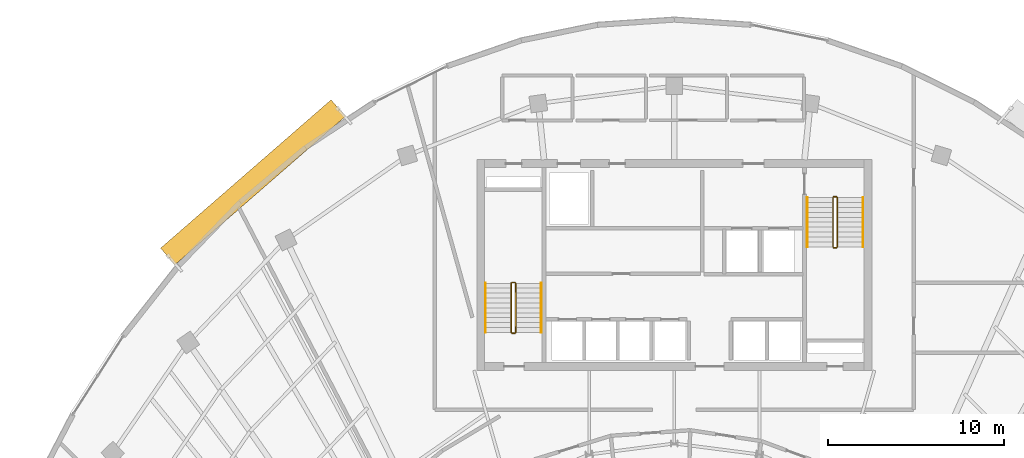
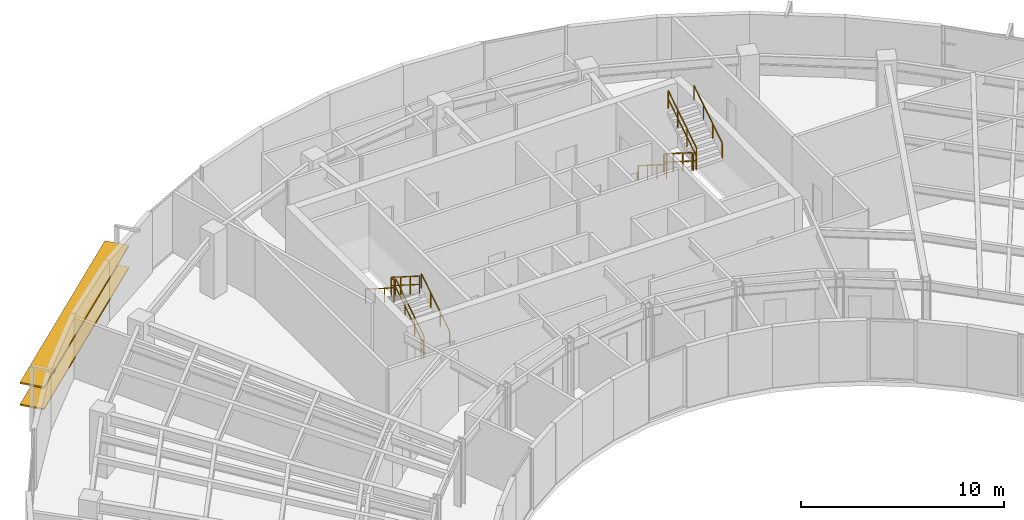
# One storey, part 12 of 13: 12 railings, 2 shading devices.
"""IFC4 building model written with IfcOpenShell, lengths in metres."""

from ifc_helpers import new_model, si_unit, direction, frame, origin, origin_2d, place, context, subcontext, project, spatial, rectangle, extrude, source, transform, mapped, material, material_profile, profile_set, type_object, element, save


model = new_model("IFC4")

# Units and contexts
model_context = context("Model", 3, precision=1e-05, world=origin(), true_north=direction((0.0, 1.0)))
body_context = subcontext(model_context, "Body", "Model", "MODEL_VIEW")
ifc_project = project(units=[si_unit("LENGTHUNIT", "METRE"), si_unit("AREAUNIT", "SQUARE_METRE"), si_unit("VOLUMEUNIT", "CUBIC_METRE"), si_unit("PLANEANGLEUNIT", "RADIAN"), si_unit("MASSUNIT", "GRAM", prefix="KILO")], contexts=[model_context])

# Site, building, storey
site_placement = place(None, origin())
site = spatial("IfcSite", under=ifc_project, at=site_placement, CompositionType="ELEMENT")
building_placement = place(site_placement, origin())
building = spatial("IfcBuilding", under=site, at=building_placement, Name="Breltana Convention Tower", CompositionType="ELEMENT")
storey_placement = place(building_placement, frame((0.0, 0.0, 223.5)))
storey = spatial("IfcBuildingStorey", under=building, at=storey_placement, Name="L54", CompositionType="ELEMENT", Elevation=223.5)

# Railings
ifc_material_1 = material(Name="Steel S275 Painted", Category="steel")
railing_type_1 = type_object("IfcRailingType", Name="RL-STAIR-GUARD-1100", PredefinedType="GUARDRAIL", material=ifc_material_1)
railing_1_placement = place(storey_placement, frame((38.9599609375, 62.360107421875, 0.17724609375)))
element("IfcRailing", 1, at=railing_1_placement, inside=storey, type_object=railing_type_1, Name="L54 ST-1 stair guard 1", PredefinedType="GUARDRAIL", context=body_context, shape_type="SweptSolid", body=[
    extrude(rectangle(XDim=0.048095703125, YDim=0.048095703125, at=origin_2d()), frame((0.0, 0.0, 1.076171875), z_axis=(0.0, 0.844887892834, 0.53494340686), x_axis=(-1.0, 0.0, 0.0)), (0.0, 0.0, 1.0), 3.313720703125),
    extrude(rectangle(XDim=0.048095703125, YDim=0.048095703125, at=origin_2d()), frame((0.0, 0.0, 0.572021484375), z_axis=(0.0, 0.844887892834, 0.53494340686), x_axis=(-1.0, 0.0, 0.0)), (0.0, 0.0, 1.0), 3.313720703125),
    extrude(rectangle(XDim=0.0419921875, YDim=0.0419921875, at=origin_2d()), origin(), (0.0, 0.0, 1.0), 1.052001953125),
    extrude(rectangle(XDim=0.0419921875, YDim=0.0419921875, at=origin_2d()), frame((0.0, 0.933349609375, 0.5908203125)), (0.0, 0.0, 1.0), 1.052001953125),
    extrude(rectangle(XDim=0.0419921875, YDim=0.0419921875, at=origin_2d()), frame((0.0, 1.866455078125, 1.181884765625)), (0.0, 0.0, 1.0), 1.052001953125),
    extrude(rectangle(XDim=0.0419921875, YDim=0.0419921875, at=origin_2d()), frame((0.0, 2.7998046875, 1.772705078125)), (0.0, 0.0, 1.0), 1.052001953125),
])
railing_2_placement = place(storey_placement, frame((38.909912109375, 65.2099609375, 1.949951171875)))
element("IfcRailing", 2, at=railing_2_placement, inside=storey, type_object=railing_type_1, Name="L54 ST-1 stair guard 2", PredefinedType="GUARDRAIL", context=body_context, shape_type="SweptSolid", body=[
    extrude(rectangle(XDim=0.048095703125, YDim=0.048095703125, at=origin_2d()), frame((0.0, 0.0, 1.076171875), z_axis=(-1.0, 0.0, 0.0), x_axis=(0.0, -1.0, 0.0)), (0.0, 0.0, 1.0), 0.14990234375),
    extrude(rectangle(XDim=0.048095703125, YDim=0.048095703125, at=origin_2d()), frame((0.0, 0.0, 0.572021484375), z_axis=(-1.0, 0.0, 0.0), x_axis=(0.0, -1.0, 0.0)), (0.0, 0.0, 1.0), 0.14990234375),
    extrude(rectangle(XDim=0.0419921875, YDim=0.0419921875, at=origin_2d()), origin(), (0.0, 0.0, 1.0), 1.052001953125),
    extrude(rectangle(XDim=0.0419921875, YDim=0.0419921875, at=origin_2d()), frame((-0.14990234375, 0.0, 0.0)), (0.0, 0.0, 1.0), 1.052001953125),
])
railing_3_placement = place(storey_placement, frame((38.7099609375, 65.159912109375, 2.127197265625)))
element("IfcRailing", 3, at=railing_3_placement, inside=storey, type_object=railing_type_1, Name="L54 ST-1 stair guard 3", PredefinedType="GUARDRAIL", context=body_context, shape_type="SweptSolid", body=[
    extrude(rectangle(XDim=0.048095703125, YDim=0.048095703125, at=origin_2d()), frame((0.0, 0.0, 1.076171875), z_axis=(0.0, -0.844887892834, 0.53494340686), x_axis=(1.0, 0.0, 0.0)), (0.0, 0.0, 1.0), 3.313720703125),
    extrude(rectangle(XDim=0.048095703125, YDim=0.048095703125, at=origin_2d()), frame((0.0, 0.0, 0.572021484375), z_axis=(0.0, -0.844887892834, 0.53494340686), x_axis=(1.0, 0.0, 0.0)), (0.0, 0.0, 1.0), 3.313720703125),
    extrude(rectangle(XDim=0.0419921875, YDim=0.0419921875, at=origin_2d()), origin(), (0.0, 0.0, 1.0), 1.052001953125),
    extrude(rectangle(XDim=0.0419921875, YDim=0.0419921875, at=origin_2d()), frame((0.0, -0.933349609375, 0.5908203125)), (0.0, 0.0, 1.0), 1.052001953125),
    extrude(rectangle(XDim=0.0419921875, YDim=0.0419921875, at=origin_2d()), frame((0.0, -1.866455078125, 1.181884765625)), (0.0, 0.0, 1.0), 1.052001953125),
    extrude(rectangle(XDim=0.0419921875, YDim=0.0419921875, at=origin_2d()), frame((0.0, -2.7998046875, 1.772705078125)), (0.0, 0.0, 1.0), 1.052001953125),
])
railing_4_placement = place(storey_placement, frame((38.909912109375, 62.31005859375, 0.0)))
element("IfcRailing", 4, at=railing_4_placement, inside=storey, type_object=railing_type_1, Name="L54 ST-1 stair guard 4", PredefinedType="GUARDRAIL", context=body_context, shape_type="SweptSolid", body=[
    extrude(rectangle(XDim=0.048095703125, YDim=0.048095703125, at=origin_2d()), frame((0.0, 0.0, 1.076171875), z_axis=(-1.0, 0.0, 0.0), x_axis=(0.0, -1.0, 0.0)), (0.0, 0.0, 1.0), 0.14990234375),
    extrude(rectangle(XDim=0.048095703125, YDim=0.048095703125, at=origin_2d()), frame((0.0, 0.0, 0.572021484375), z_axis=(-1.0, 0.0, 0.0), x_axis=(0.0, -1.0, 0.0)), (0.0, 0.0, 1.0), 0.14990234375),
    extrude(rectangle(XDim=0.0419921875, YDim=0.0419921875, at=origin_2d()), origin(), (0.0, 0.0, 1.0), 1.052001953125),
    extrude(rectangle(XDim=0.0419921875, YDim=0.0419921875, at=origin_2d()), frame((-0.14990234375, 0.0, 0.0)), (0.0, 0.0, 1.0), 1.052001953125),
])
railing_5_placement = place(storey_placement, frame((57.0400390625, 70.0400390625, 0.17724609375)))
element("IfcRailing", 5, at=railing_5_placement, inside=storey, type_object=railing_type_1, Name="L54 ST-2 stair guard 1", PredefinedType="GUARDRAIL", context=body_context, shape_type="SweptSolid", body=[
    extrude(rectangle(XDim=0.048095703125, YDim=0.048095703125, at=origin_2d()), frame((0.0, 0.0, 1.076171875), z_axis=(0.0, -0.844908973607, 0.534910110503), x_axis=(1.0, 0.0, 0.0)), (0.0, 0.0, 1.0), 3.31396484375),
    extrude(rectangle(XDim=0.048095703125, YDim=0.048095703125, at=origin_2d()), frame((0.0, 0.0, 0.572021484375), z_axis=(0.0, -0.844908973607, 0.534910110503), x_axis=(1.0, 0.0, 0.0)), (0.0, 0.0, 1.0), 3.31396484375),
    extrude(rectangle(XDim=0.0419921875, YDim=0.0419921875, at=origin_2d()), origin(), (0.0, 0.0, 1.0), 1.052001953125),
    extrude(rectangle(XDim=0.0419921875, YDim=0.0419921875, at=origin_2d()), frame((0.0, -0.933349609375, 0.5908203125)), (0.0, 0.0, 1.0), 1.052001953125),
    extrude(rectangle(XDim=0.0419921875, YDim=0.0419921875, at=origin_2d()), frame((0.0, -1.86669921875, 1.181884765625)), (0.0, 0.0, 1.0), 1.052001953125),
    extrude(rectangle(XDim=0.0419921875, YDim=0.0419921875, at=origin_2d()), frame((0.0, -2.800048828125, 1.772705078125)), (0.0, 0.0, 1.0), 1.052001953125),
])
railing_6_placement = place(storey_placement, frame((57.090087890625, 67.18994140625, 1.949951171875)))
element("IfcRailing", 6, at=railing_6_placement, inside=storey, type_object=railing_type_1, Name="L54 ST-2 stair guard 2", PredefinedType="GUARDRAIL", context=body_context, shape_type="SweptSolid", body=[
    extrude(rectangle(XDim=0.048095703125, YDim=0.048095703125, at=origin_2d()), frame((0.0, 0.0, 1.076171875), z_axis=(1.0, 0.0, 0.0), x_axis=(0.0, 1.0, 0.0)), (0.0, 0.0, 1.0), 0.14990234375),
    extrude(rectangle(XDim=0.048095703125, YDim=0.048095703125, at=origin_2d()), frame((0.0, 0.0, 0.572021484375), z_axis=(1.0, 0.0, 0.0), x_axis=(0.0, 1.0, 0.0)), (0.0, 0.0, 1.0), 0.14990234375),
    extrude(rectangle(XDim=0.0419921875, YDim=0.0419921875, at=origin_2d()), origin(), (0.0, 0.0, 1.0), 1.052001953125),
    extrude(rectangle(XDim=0.0419921875, YDim=0.0419921875, at=origin_2d()), frame((0.14990234375, 0.0, 0.0)), (0.0, 0.0, 1.0), 1.052001953125),
])
railing_7_placement = place(storey_placement, frame((57.2900390625, 67.239990234375, 2.127197265625)))
element("IfcRailing", 7, at=railing_7_placement, inside=storey, type_object=railing_type_1, Name="L54 ST-2 stair guard 3", PredefinedType="GUARDRAIL", context=body_context, shape_type="SweptSolid", body=[
    extrude(rectangle(XDim=0.048095703125, YDim=0.048095703125, at=origin_2d()), frame((0.0, 0.0, 1.076171875), z_axis=(0.0, 0.844908973607, 0.534910110503), x_axis=(-1.0, 0.0, 0.0)), (0.0, 0.0, 1.0), 3.31396484375),
    extrude(rectangle(XDim=0.048095703125, YDim=0.048095703125, at=origin_2d()), frame((0.0, 0.0, 0.572021484375), z_axis=(0.0, 0.844908973607, 0.534910110503), x_axis=(-1.0, 0.0, 0.0)), (0.0, 0.0, 1.0), 3.31396484375),
    extrude(rectangle(XDim=0.0419921875, YDim=0.0419921875, at=origin_2d()), origin(), (0.0, 0.0, 1.0), 1.052001953125),
    extrude(rectangle(XDim=0.0419921875, YDim=0.0419921875, at=origin_2d()), frame((0.0, 0.933349609375, 0.5908203125)), (0.0, 0.0, 1.0), 1.052001953125),
    extrude(rectangle(XDim=0.0419921875, YDim=0.0419921875, at=origin_2d()), frame((0.0, 1.86669921875, 1.181884765625)), (0.0, 0.0, 1.0), 1.052001953125),
    extrude(rectangle(XDim=0.0419921875, YDim=0.0419921875, at=origin_2d()), frame((0.0, 2.800048828125, 1.772705078125)), (0.0, 0.0, 1.0), 1.052001953125),
])
railing_8_placement = place(storey_placement, frame((57.090087890625, 70.090087890625, 0.0)))
element("IfcRailing", 8, at=railing_8_placement, inside=storey, type_object=railing_type_1, Name="L54 ST-2 stair guard 4", PredefinedType="GUARDRAIL", context=body_context, shape_type="SweptSolid", body=[
    extrude(rectangle(XDim=0.048095703125, YDim=0.048095703125, at=origin_2d()), frame((0.0, 0.0, 1.076171875), z_axis=(1.0, 0.0, 0.0), x_axis=(0.0, 1.0, 0.0)), (0.0, 0.0, 1.0), 0.14990234375),
    extrude(rectangle(XDim=0.048095703125, YDim=0.048095703125, at=origin_2d()), frame((0.0, 0.0, 0.572021484375), z_axis=(1.0, 0.0, 0.0), x_axis=(0.0, 1.0, 0.0)), (0.0, 0.0, 1.0), 0.14990234375),
    extrude(rectangle(XDim=0.0419921875, YDim=0.0419921875, at=origin_2d()), origin(), (0.0, 0.0, 1.0), 1.052001953125),
    extrude(rectangle(XDim=0.0419921875, YDim=0.0419921875, at=origin_2d()), frame((0.14990234375, 0.0, 0.0)), (0.0, 0.0, 1.0), 1.052001953125),
])
ifc_material_2 = material(Name="Stainless Steel 316L", Category="steel")
railing_type_2 = type_object("IfcRailingType", Name="RL-STAIR-HANDRAIL-900", PredefinedType="HANDRAIL", material=ifc_material_2)
railing_9_placement = place(storey_placement, frame((40.419921875, 62.360107421875, 0.17724609375)))
element("IfcRailing", 9, at=railing_9_placement, inside=storey, type_object=railing_type_2, Name="L54 ST-1 stair handrail 1", PredefinedType="HANDRAIL", context=body_context, shape_type="SweptSolid", body=[
    extrude(rectangle(XDim=0.048095703125, YDim=0.048095703125, at=origin_2d()), frame((0.0, 0.0, 0.8759765625), z_axis=(0.0, 0.844887892834, 0.53494340686), x_axis=(-1.0, 0.0, 0.0)), (0.0, 0.0, 1.0), 3.313720703125),
    extrude(rectangle(XDim=0.0419921875, YDim=0.0419921875, at=origin_2d()), origin(), (0.0, 0.0, 1.0), 0.851806640625),
    extrude(rectangle(XDim=0.0419921875, YDim=0.0419921875, at=origin_2d()), frame((0.0, 0.933349609375, 0.5908203125)), (0.0, 0.0, 1.0), 0.851806640625),
    extrude(rectangle(XDim=0.0419921875, YDim=0.0419921875, at=origin_2d()), frame((0.0, 1.866455078125, 1.181884765625)), (0.0, 0.0, 1.0), 0.851806640625),
    extrude(rectangle(XDim=0.0419921875, YDim=0.0419921875, at=origin_2d()), frame((0.0, 2.7998046875, 1.772705078125)), (0.0, 0.0, 1.0), 0.851806640625),
])
railing_10_placement = place(storey_placement, frame((37.25, 65.159912109375, 2.127197265625)))
element("IfcRailing", 10, at=railing_10_placement, inside=storey, type_object=railing_type_2, Name="L54 ST-1 stair handrail 2", PredefinedType="HANDRAIL", context=body_context, shape_type="SweptSolid", body=[
    extrude(rectangle(XDim=0.048095703125, YDim=0.048095703125, at=origin_2d()), frame((0.0, 0.0, 0.8759765625), z_axis=(0.0, -0.844887892834, 0.53494340686), x_axis=(1.0, 0.0, 0.0)), (0.0, 0.0, 1.0), 3.313720703125),
    extrude(rectangle(XDim=0.0419921875, YDim=0.0419921875, at=origin_2d()), origin(), (0.0, 0.0, 1.0), 0.851806640625),
    extrude(rectangle(XDim=0.0419921875, YDim=0.0419921875, at=origin_2d()), frame((0.0, -0.933349609375, 0.5908203125)), (0.0, 0.0, 1.0), 0.851806640625),
    extrude(rectangle(XDim=0.0419921875, YDim=0.0419921875, at=origin_2d()), frame((0.0, -1.866455078125, 1.181884765625)), (0.0, 0.0, 1.0), 0.851806640625),
    extrude(rectangle(XDim=0.0419921875, YDim=0.0419921875, at=origin_2d()), frame((0.0, -2.7998046875, 1.772705078125)), (0.0, 0.0, 1.0), 0.851806640625),
])
railing_11_placement = place(storey_placement, frame((55.580078125, 70.0400390625, 0.17724609375)))
element("IfcRailing", 11, at=railing_11_placement, inside=storey, type_object=railing_type_2, Name="L54 ST-2 stair handrail 1", PredefinedType="HANDRAIL", context=body_context, shape_type="SweptSolid", body=[
    extrude(rectangle(XDim=0.048095703125, YDim=0.048095703125, at=origin_2d()), frame((0.0, 0.0, 0.8759765625), z_axis=(0.0, -0.844908973607, 0.534910110503), x_axis=(1.0, 0.0, 0.0)), (0.0, 0.0, 1.0), 3.31396484375),
    extrude(rectangle(XDim=0.0419921875, YDim=0.0419921875, at=origin_2d()), origin(), (0.0, 0.0, 1.0), 0.851806640625),
    extrude(rectangle(XDim=0.0419921875, YDim=0.0419921875, at=origin_2d()), frame((0.0, -0.933349609375, 0.5908203125)), (0.0, 0.0, 1.0), 0.851806640625),
    extrude(rectangle(XDim=0.0419921875, YDim=0.0419921875, at=origin_2d()), frame((0.0, -1.86669921875, 1.181884765625)), (0.0, 0.0, 1.0), 0.851806640625),
    extrude(rectangle(XDim=0.0419921875, YDim=0.0419921875, at=origin_2d()), frame((0.0, -2.800048828125, 1.772705078125)), (0.0, 0.0, 1.0), 0.851806640625),
])
railing_12_placement = place(storey_placement, frame((58.75, 67.239990234375, 2.127197265625)))
element("IfcRailing", 12, at=railing_12_placement, inside=storey, type_object=railing_type_2, Name="L54 ST-2 stair handrail 2", PredefinedType="HANDRAIL", context=body_context, shape_type="SweptSolid", body=[
    extrude(rectangle(XDim=0.048095703125, YDim=0.048095703125, at=origin_2d()), frame((0.0, 0.0, 0.8759765625), z_axis=(0.0, 0.844908973607, 0.534910110503), x_axis=(-1.0, 0.0, 0.0)), (0.0, 0.0, 1.0), 3.31396484375),
    extrude(rectangle(XDim=0.0419921875, YDim=0.0419921875, at=origin_2d()), origin(), (0.0, 0.0, 1.0), 0.851806640625),
    extrude(rectangle(XDim=0.0419921875, YDim=0.0419921875, at=origin_2d()), frame((0.0, 0.933349609375, 0.5908203125)), (0.0, 0.0, 1.0), 0.851806640625),
    extrude(rectangle(XDim=0.0419921875, YDim=0.0419921875, at=origin_2d()), frame((0.0, 1.86669921875, 1.181884765625)), (0.0, 0.0, 1.0), 0.851806640625),
    extrude(rectangle(XDim=0.0419921875, YDim=0.0419921875, at=origin_2d()), frame((0.0, 2.800048828125, 1.772705078125)), (0.0, 0.0, 1.0), 0.851806640625),
])

# Shading devices
ifc_material_3 = material(Name="Limestone Warm Buff Honed", Category="masonry")
ifc_material_profile = material_profile(ifc_material_3, rectangle(XDim=1.25, YDim=0.090087890625, at=origin_2d()), Name="STN-LVR-1250X90")
ifc_profile_set = profile_set([ifc_material_profile], Name="Limestone Warm Buff Honed")
shading_device_type = type_object("IfcShadingDeviceType", Name="SHD-OUTER-SKIN-LIMESTONE-1250", PredefinedType="JALOUSIE", material=ifc_profile_set)
shared_shape = source(origin(), body_context, "Body", "SweptSolid", [
    extrude(rectangle(XDim=1.25, YDim=0.090087890625, at=origin_2d()), origin(), (0.0, 0.0, 1.0), 12.87255859375),
])
for number, where, z_axis, x_axis, name in (
    (13, (19.147216796875, 66.69140625, 1.310302734375), (0.754370287864, 0.656449136482, 0.0), (-0.656449136482, 0.754370287864, 0.0), "L54 outer skin warm limestone louvre 1.1"),
    (14, (19.147216796875, 66.69140625, 2.620849609375), (0.754370287864, 0.656449136482, 0.0), (-0.656449136482, 0.754370287864, 0.0), "L54 outer skin warm limestone louvre 1.2"),
):
    element("IfcShadingDevice", number, at=place(storey_placement, frame(where, z_axis=z_axis, x_axis=x_axis)), inside=storey, type_object=shading_device_type, Name=name, PredefinedType="JALOUSIE", context=body_context, shape_type="MappedRepresentation", body=[
        mapped(shared_shape, transform((0.0, 0.0, 0.0), scale=1.0)),
    ])

save(model, "model.ifc")
